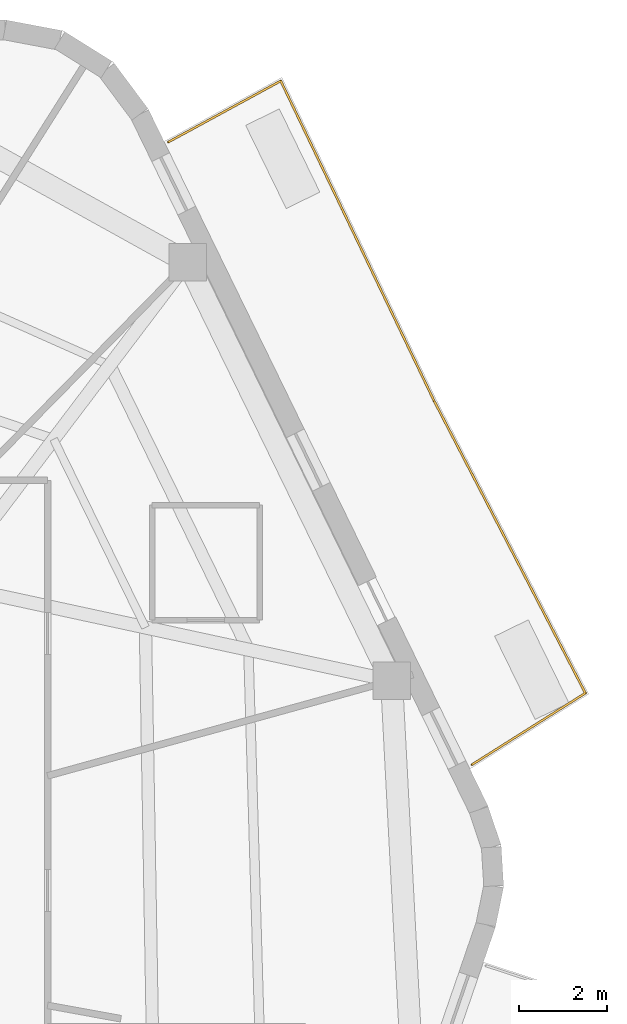
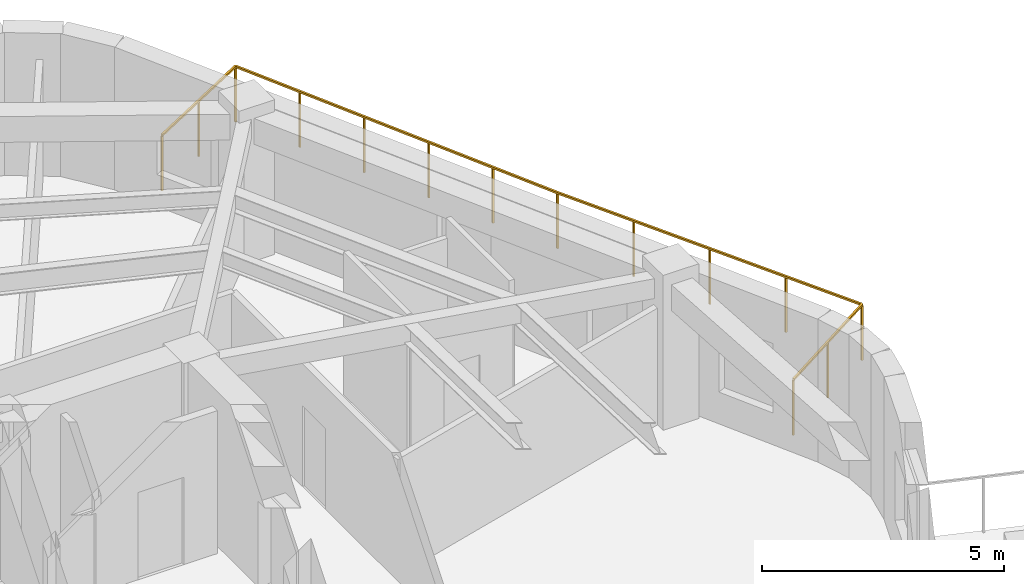
# One storey, part 9 of 9: 1 railing.
"""IFC4 building model written with IfcOpenShell, lengths in metres."""

from ifc_helpers import new_model, si_unit, direction, frame, origin, origin_2d, place, context, subcontext, project, spatial, rectangle, extrude, material, layer, layer_set, type_object, element, save


model = new_model("IFC4")

# Units and contexts
model_context = context("Model", 3, precision=1e-05, world=origin(), true_north=direction((0.0, 1.0)))
body_context = subcontext(model_context, "Body", "Model", "MODEL_VIEW")
ifc_project = project(units=[si_unit("LENGTHUNIT", "METRE"), si_unit("AREAUNIT", "SQUARE_METRE"), si_unit("VOLUMEUNIT", "CUBIC_METRE"), si_unit("PLANEANGLEUNIT", "RADIAN"), si_unit("MASSUNIT", "GRAM", prefix="KILO")], contexts=[model_context])

# Site, building, storey
site_placement = place(None, origin())
site = spatial("IfcSite", under=ifc_project, at=site_placement, CompositionType="ELEMENT")
building_placement = place(site_placement, origin())
building = spatial("IfcBuilding", under=site, at=building_placement, Name="Kilnhurst Terrace Hotel", CompositionType="ELEMENT")
storey_placement = place(building_placement, frame((0.0, 0.0, 276.89990234375)))
storey = spatial("IfcBuildingStorey", under=building, at=storey_placement, Name="L69", CompositionType="ELEMENT", Elevation=276.89990234375)

# Railing
ifc_material = material(Name="Laminated SentryGlas and Stainless Steel AISI 316L Balustrade", Category="steel")
ifc_layer = layer(ifc_material, 0.070068359375, Name="Laminated SentryGlas and Stainless Steel AISI 316L Balustrade")
ifc_layer_set = layer_set([ifc_layer], Name="Laminated SentryGlas and Stainless Steel AISI 316L Balustrade")
railing_type = type_object("IfcRailingType", Name="RLG-BAL-1420", PredefinedType="BALUSTRADE", material=ifc_layer_set)
railing_placement = place(storey_placement, frame((14.089599609375, 17.52880859375, 0.0)))
element("IfcRailing", 1, at=railing_placement, inside=storey, type_object=railing_type, Name="L69 Exterior Terrace Guardrail BAL-L1B.1", PredefinedType="BALUSTRADE", context=body_context, shape_type="SweptSolid", body=[
    extrude(rectangle(XDim=0.048095703125, YDim=0.048095703125, at=origin_2d()), frame((0.0, 0.0, 1.39599609375), z_axis=(0.878504936271, 0.477733269667, 0.0), x_axis=(-0.477733269667, 0.878504936271, 0.0)), (0.0, 0.0, 1.0), 2.90576171875),
    extrude(rectangle(XDim=0.048095703125, YDim=0.048095703125, at=origin_2d()), frame((2.552734375, 1.38818359375, 1.39599609375), z_axis=(0.432219770894, -0.901768301532, 0.0), x_axis=(0.901768301532, 0.432219770894, 0.0)), (0.0, 0.0, 1.0), 8.0576171875),
    extrude(rectangle(XDim=0.048095703125, YDim=0.048095703125, at=origin_2d()), frame((6.035400390625, -5.8779296875, 1.39599609375), z_axis=(0.496138938357, -0.868243142124, 0.0), x_axis=(0.868243142124, 0.496138938357, 0.0)), (0.0, 0.0, 1.0), 0.001953125),
    extrude(rectangle(XDim=0.048095703125, YDim=0.048095703125, at=origin_2d()), frame((6.036376953125, -5.879638671875, 1.39599609375), z_axis=(0.459705000347, -0.888071682161, 0.0), x_axis=(0.888071682161, 0.459705000347, 0.0)), (0.0, 0.0, 1.0), 7.46337890625),
    extrude(rectangle(XDim=0.048095703125, YDim=0.048095703125, at=origin_2d()), frame((9.46728515625, -12.507568359375, 1.39599609375), z_axis=(-0.845686755454, -0.533679596434, 0.0), x_axis=(0.533679596434, -0.845686755454, 0.0)), (0.0, 0.0, 1.0), 3.048583984375),
    extrude(rectangle(XDim=0.0419921875, YDim=0.0419921875, at=origin_2d()), origin(), (0.0, 0.0, 1.0), 1.371826171875),
    extrude(rectangle(XDim=0.0419921875, YDim=0.0419921875, at=origin_2d()), frame((1.2763671875, 0.694091796875, 0.0)), (0.0, 0.0, 1.0), 1.371826171875),
    extrude(rectangle(XDim=0.0419921875, YDim=0.0419921875, at=origin_2d()), frame((2.552734375, 1.38818359375, 0.0)), (0.0, 0.0, 1.0), 1.371826171875),
    extrude(rectangle(XDim=0.0419921875, YDim=0.0419921875, at=origin_2d()), frame((3.249267578125, -0.06494140625, 0.0)), (0.0, 0.0, 1.0), 1.371826171875),
    extrude(rectangle(XDim=0.0419921875, YDim=0.0419921875, at=origin_2d()), frame((3.94580078125, -1.518310546875, 0.0)), (0.0, 0.0, 1.0), 1.371826171875),
    extrude(rectangle(XDim=0.0419921875, YDim=0.0419921875, at=origin_2d()), frame((4.642333984375, -2.971435546875, 0.0)), (0.0, 0.0, 1.0), 1.371826171875),
    extrude(rectangle(XDim=0.0419921875, YDim=0.0419921875, at=origin_2d()), frame((5.3388671875, -4.4248046875, 0.0)), (0.0, 0.0, 1.0), 1.371826171875),
    extrude(rectangle(XDim=0.0419921875, YDim=0.0419921875, at=origin_2d()), frame((6.035400390625, -5.8779296875, 0.0)), (0.0, 0.0, 1.0), 1.371826171875),
    extrude(rectangle(XDim=0.0419921875, YDim=0.0419921875, at=origin_2d()), frame((6.036376953125, -5.879638671875, 0.0)), (0.0, 0.0, 1.0), 1.371826171875),
    extrude(rectangle(XDim=0.0419921875, YDim=0.0419921875, at=origin_2d()), frame((6.89404296875, -7.53662109375, 0.0)), (0.0, 0.0, 1.0), 1.371826171875),
    extrude(rectangle(XDim=0.0419921875, YDim=0.0419921875, at=origin_2d()), frame((7.751953125, -9.193603515625, 0.0)), (0.0, 0.0, 1.0), 1.371826171875),
    extrude(rectangle(XDim=0.0419921875, YDim=0.0419921875, at=origin_2d()), frame((8.609619140625, -10.8505859375, 0.0)), (0.0, 0.0, 1.0), 1.371826171875),
    extrude(rectangle(XDim=0.0419921875, YDim=0.0419921875, at=origin_2d()), frame((9.46728515625, -12.507568359375, 0.0)), (0.0, 0.0, 1.0), 1.371826171875),
    extrude(rectangle(XDim=0.0419921875, YDim=0.0419921875, at=origin_2d()), frame((8.17822265625, -13.321044921875, 0.0)), (0.0, 0.0, 1.0), 1.371826171875),
    extrude(rectangle(XDim=0.0419921875, YDim=0.0419921875, at=origin_2d()), frame((6.88916015625, -14.134521484375, 0.0)), (0.0, 0.0, 1.0), 1.371826171875),
])

save(model, "model.ifc")
